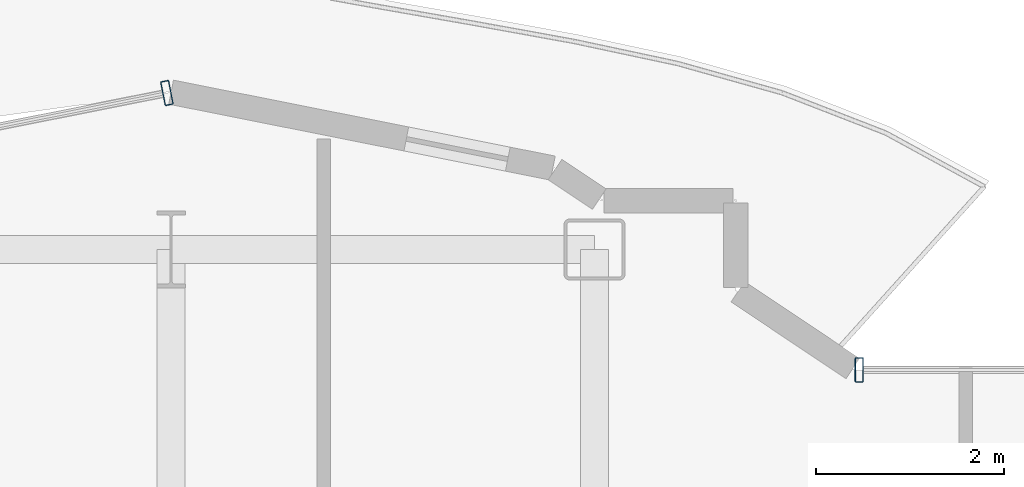
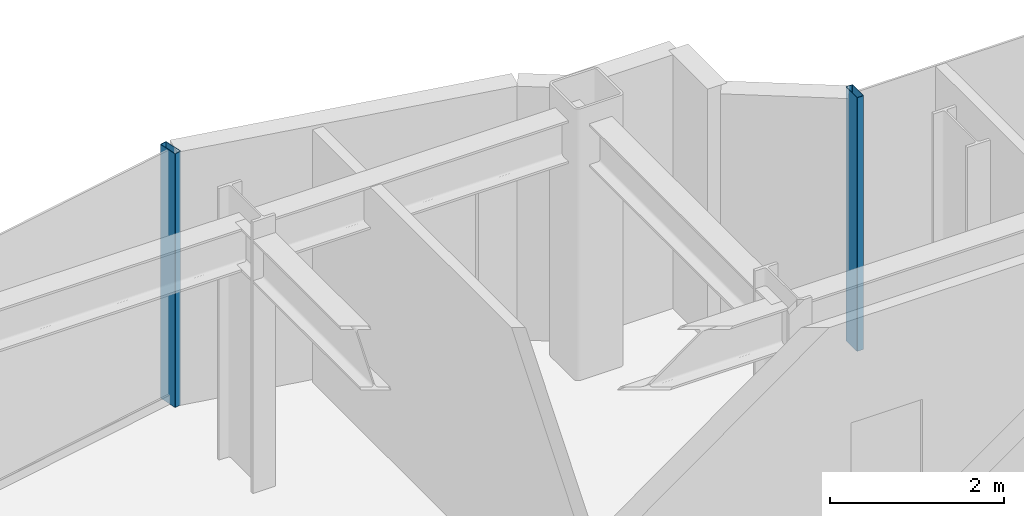
# One storey, part 10 of 21: 2 members, 2 elements without a shape of their own.
"""IFC4 building model written with IfcOpenShell, lengths in metres."""

import ifcopenshell
import ifcopenshell.guid

model = None  # the IFC model being written
_history = None  # IfcOwnerHistory: only IFC2X3 demands one
_inside = {}  # id of a spatial element -> (the spatial element, [elements in it])
_under = {}  # id of a project, library or spatial element -> (it, [spatial elements below it])
_declared = {}  # id of a project -> (the project, [libraries it declares])
_typed = {}  # id of a type object -> (the type object, [elements of that type])
_made_of = {}  # id of a material, layer set ... -> (it, [elements and type objects made of it])


def new_model(schema):
    """Start an empty IFC model of exactly this schema.

    Asked for "IFC4X3", IfcOpenShell would pick the latest addendum, in which some entities
    have other attributes; the version numbers below select the first issue.
    IFC2X3 requires an IfcOwnerHistory on every rooted entity: one is made here for all.
    """
    global model, _history
    if schema == "IFC4X3":
        model = ifcopenshell.file(schema_version=(4, 3, 0, 0))
    else:
        model = ifcopenshell.file(schema=schema)
    _inside.clear()
    _under.clear()
    _declared.clear()
    _typed.clear()
    _made_of.clear()
    _history = None
    if model.schema == "IFC2X3":
        org = make("IfcOrganization", Name="unknown")
        user = make(
            "IfcPersonAndOrganization",
            ThePerson=make("IfcPerson", FamilyName="unknown"),
            TheOrganization=org,
        )
        app = make(
            "IfcApplication",
            ApplicationDeveloper=org,
            Version="unknown",
            ApplicationFullName="unknown",
            ApplicationIdentifier="unknown",
        )
        _history = make(
            "IfcOwnerHistory",
            OwningUser=user,
            OwningApplication=app,
            ChangeAction="ADDED",
            CreationDate=0,
        )
    return model


def make(cls, **values):
    """One entity of the class cls with the attributes given. An attribute that is None is left unset."""
    return model.create_entity(
        cls, **{name: value for name, value in values.items() if value is not None}
    )


def rooted(cls, **values):
    """An entity with a GlobalId (a new one), such as an element, a storey or a relation."""
    return make(cls, GlobalId=ifcopenshell.guid.new(), OwnerHistory=_history, **values)


def si_unit(unit_type, name, prefix=None):
    """IfcSIUnit, for example si_unit("LENGTHUNIT", "METRE", prefix="MILLI")."""
    return make("IfcSIUnit", UnitType=unit_type, Prefix=prefix, Name=name)


def assignment(units):
    """IfcUnitAssignment: the units of a project."""
    return None if units is None else make("IfcUnitAssignment", Units=units)


def point(xyz):
    """IfcCartesianPoint."""
    return None if xyz is None else make("IfcCartesianPoint", Coordinates=xyz)


def direction(xyz):
    """IfcDirection."""
    return None if xyz is None else make("IfcDirection", DirectionRatios=xyz)


def frame(location, z_axis=None, x_axis=None):
    """IfcAxis2Placement3D, a coordinate frame: its origin and axes. An axis left out is left unset."""
    return make(
        "IfcAxis2Placement3D",
        Location=point(location),
        Axis=direction(z_axis),
        RefDirection=direction(x_axis),
    )


def frame_2d(location, x_axis=None):
    """IfcAxis2Placement2D, a coordinate frame in the plane: its origin and x axis."""
    return make(
        "IfcAxis2Placement2D", Location=point(location), RefDirection=direction(x_axis)
    )


def origin():
    """The frame at (0, 0, 0) with its axes left unset."""
    return frame((0.0, 0.0, 0.0))


def origin_2d():
    """The frame at (0, 0) in the plane with its x axis left unset."""
    return frame_2d((0.0, 0.0))


def place(relative_to, where):
    """IfcLocalPlacement: puts the frame where relative to a parent placement (None: the world)."""
    return make(
        "IfcLocalPlacement", PlacementRelTo=relative_to, RelativePlacement=where
    )


def context(
    kind, dimensions, precision=None, world=None, true_north=None, identifier=None
):
    """IfcGeometricRepresentationContext, for example the 3D "Model" context."""
    return make(
        "IfcGeometricRepresentationContext",
        ContextIdentifier=identifier,
        ContextType=kind,
        CoordinateSpaceDimension=dimensions,
        Precision=precision,
        WorldCoordinateSystem=world,
        TrueNorth=true_north,
    )


def subcontext(parent, identifier, kind, view, scale=None):
    """IfcGeometricRepresentationSubContext, for example "Body" below "Model"."""
    return make(
        "IfcGeometricRepresentationSubContext",
        ContextIdentifier=identifier,
        ContextType=kind,
        ParentContext=parent,
        TargetScale=scale,
        TargetView=view,
    )


def project(units=None, contexts=None):
    """IfcProject with its units and contexts."""
    return rooted(
        "IfcProject",
        Name="project",
        RepresentationContexts=contexts,
        UnitsInContext=assignment(units),
    )


def spatial(cls, under=None, at=None, **own):
    """A site, building, storey or space (cls), placed at a placement, below another one or the project."""
    s = rooted(cls, ObjectPlacement=at, **own)
    if under is not None:
        _under.setdefault(under.id(), (under, []))[1].append(s)
    return s


def profile(cls, at=None, kind="AREA", **sizes):
    """A parametric profile (cls). Its sizes go by their IFC names, for example OverallWidth=200.0."""
    return make(cls, ProfileType=kind, Position=at, **sizes)


def hollow_rectangle(**sizes):
    """IfcRectangleHollowProfileDef."""
    return profile("IfcRectangleHollowProfileDef", **sizes)


def extrude(swept, where, along, depth):
    """IfcExtrudedAreaSolid: the profile swept, set in the frame where, extruded along a direction by depth."""
    return make(
        "IfcExtrudedAreaSolid",
        SweptArea=swept,
        Position=where,
        ExtrudedDirection=direction(along),
        Depth=depth,
    )


def shape(context_of_items, identifier, shape_type, items):
    """IfcShapeRepresentation: the items that make up one representation, for example the "Body"."""
    return make(
        "IfcShapeRepresentation",
        ContextOfItems=context_of_items,
        RepresentationIdentifier=identifier,
        RepresentationType=shape_type,
        Items=items,
    )


def source(mapping_origin, context_of_items, identifier, shape_type, items):
    """IfcRepresentationMap: a shape defined once, which mapped items show again and again."""
    return make(
        "IfcRepresentationMap",
        MappingOrigin=mapping_origin,
        MappedRepresentation=shape(context_of_items, identifier, shape_type, items),
    )


def transform(
    local_origin,
    x_axis=None,
    y_axis=None,
    z_axis=None,
    scale=None,
    scale2=None,
    scale3=None,
    uniform=True,
):
    """IfcCartesianTransformationOperator3D, or its non-uniform kind. x_axis, y_axis, z_axis: its Axis1, 2, 3."""
    if uniform:
        return make(
            "IfcCartesianTransformationOperator3D",
            Axis1=direction(x_axis),
            Axis2=direction(y_axis),
            LocalOrigin=point(local_origin),
            Scale=scale,
            Axis3=direction(z_axis),
        )
    return make(
        "IfcCartesianTransformationOperator3DnonUniform",
        Axis1=direction(x_axis),
        Axis2=direction(y_axis),
        LocalOrigin=point(local_origin),
        Scale=scale,
        Axis3=direction(z_axis),
        Scale2=scale2,
        Scale3=scale3,
    )


def mapped(mapping_source, mapping_target):
    """IfcMappedItem: shows the shape of a source again, moved by a transform."""
    return make(
        "IfcMappedItem", MappingSource=mapping_source, MappingTarget=mapping_target
    )


def material(Name=None, Category=None):
    """IfcMaterial."""
    return make("IfcMaterial", Name=Name, Category=Category)


def layer(
    of_material, thickness, ventilated=None, Name=None, Category=None, Priority=None
):
    """IfcMaterialLayer: one layer of a wall or slab, of a material (None: an air gap)."""
    return make(
        "IfcMaterialLayer",
        Material=of_material,
        LayerThickness=thickness,
        IsVentilated=ventilated,
        Name=Name,
        Category=Category,
        Priority=Priority,
    )


def layer_set(layers, Name=None):
    """IfcMaterialLayerSet."""
    return make("IfcMaterialLayerSet", MaterialLayers=layers, LayerSetName=Name)


def material_profile(
    of_material, cross_section, Name=None, Category=None, Priority=None
):
    """IfcMaterialProfile: a cross section and its material."""
    return make(
        "IfcMaterialProfile",
        Name=Name,
        Material=of_material,
        Profile=cross_section,
        Priority=Priority,
        Category=Category,
    )


def profile_set(profiles, Name=None, composite=None):
    """IfcMaterialProfileSet."""
    return make(
        "IfcMaterialProfileSet",
        Name=Name,
        MaterialProfiles=profiles,
        CompositeProfile=composite,
    )


def made_of(thing, what):
    """Note that an element or type object is made of a material, layer set ...; save() writes the relation."""
    if what is not None:
        _made_of.setdefault(what.id(), (what, []))[1].append(thing)
    return thing


def type_object(cls, material=None, **own):
    """A type object (cls), such as IfcWallType, which elements share."""
    return made_of(rooted(cls, **own), material)


def element(
    cls,
    number,
    at=None,
    inside=None,
    cuts=None,
    type_object=None,
    material=None,
    context=None,
    identifier="Body",
    shape_type=None,
    held_by="IfcProductDefinitionShape",
    body=None,
    shapes=None,
    **own,
):
    """One element of the class cls, such as IfcWall. Its Tag is "e" and its number.

    at: its placement. inside: the storey or other place that contains it. cuts: it is an
    opening in that element (IfcRelVoidsElement). A single representation is given by context,
    identifier, shape_type and body (its items); several are given by shapes. held_by: the class
    of the entity that holds the representations. save() writes the other relations.
    """
    e = rooted(cls, Tag="e%d" % number, ObjectPlacement=at, **own)
    if body is not None:
        shapes = [shape(context, identifier, shape_type, body)]
    if shapes is not None:
        e.Representation = make(held_by, Representations=shapes)
    if inside is not None:
        _inside.setdefault(inside.id(), (inside, []))[1].append(e)
    if cuts is not None:
        rooted(
            "IfcRelVoidsElement", RelatingBuildingElement=cuts, RelatedOpeningElement=e
        )
    if type_object is not None:
        _typed.setdefault(type_object.id(), (type_object, []))[1].append(e)
    return made_of(e, material)


def aggregate(whole, parts):
    """IfcRelAggregates: a whole, such as a stair, and the parts it consists of."""
    return rooted("IfcRelAggregates", RelatingObject=whole, RelatedObjects=parts)


def save(model, path):
    """Write the relations noted so far, then the file.

    IfcRelAggregates (storeys below a building ...), IfcRelContainedInSpatialStructure (elements
    in a storey), IfcRelDefinesByType, IfcRelAssociatesMaterial and IfcRelDeclares: one each for
    every whole, place, type object, material and project.
    """
    for whole, parts in _under.values():
        aggregate(whole, parts)
    for where, things in _inside.values():
        rooted(
            "IfcRelContainedInSpatialStructure",
            RelatedElements=things,
            RelatingStructure=where,
        )
    for kind, things in _typed.values():
        rooted("IfcRelDefinesByType", RelatedObjects=things, RelatingType=kind)
    for what, things in _made_of.values():
        rooted("IfcRelAssociatesMaterial", RelatedObjects=things, RelatingMaterial=what)
    for by, libraries in _declared.values():
        rooted("IfcRelDeclares", RelatingContext=by, RelatedDefinitions=libraries)
    model.write(path)


model = new_model("IFC4")

# Units and contexts
model_context = context("Model", 3, precision=1e-05, world=origin(), true_north=direction((0.0, 1.0)))
body_context = subcontext(model_context, "Body", "Model", "MODEL_VIEW")
ifc_project = project(units=[si_unit("LENGTHUNIT", "METRE"), si_unit("AREAUNIT", "SQUARE_METRE"), si_unit("VOLUMEUNIT", "CUBIC_METRE"), si_unit("PLANEANGLEUNIT", "RADIAN"), si_unit("MASSUNIT", "GRAM", prefix="KILO")], contexts=[model_context])

# Site, building, storey
site_placement = place(None, origin())
site = spatial("IfcSite", under=ifc_project, at=site_placement, CompositionType="ELEMENT")
building_placement = place(site_placement, origin())
building = spatial("IfcBuilding", under=site, at=building_placement, Name="Nefas-Gora Pilgrimage Tower", CompositionType="ELEMENT")
storey_placement = place(building_placement, frame((0.0, 0.0, 233.199951171875)))
storey = spatial("IfcBuildingStorey", under=building, at=storey_placement, Name="L58", CompositionType="ELEMENT", Elevation=233.199951171875)

# Curtain wall, member
ifc_material_1 = material(Name="Dark ceramic-fritted solar-control aluminium-glass curtain wall", Category="aluminium")
ifc_layer = layer(ifc_material_1, 0.219970703125)
ifc_layer_set = layer_set([ifc_layer], Name="Dark ceramic-fritted solar-control aluminium-glass curtain wall")
curtain_wall_type = type_object("IfcCurtainWallType", Name="CW-SYS-5", PredefinedType="NOTDEFINED", material=ifc_layer_set)
curtain_wall_1_placement = place(storey_placement, origin())
curtain_wall_1 = element("IfcCurtainWall", 1, at=curtain_wall_1_placement, inside=storey, type_object=curtain_wall_type, Name="L58 Unitised Curtain Wall CW5", PredefinedType="NOTDEFINED")
ifc_material_2 = material(Name="Anodised architectural aluminium", Category="aluminium")
ifc_material_profile = material_profile(ifc_material_2, hollow_rectangle(XDim=0.090087890625, YDim=0.260009765625, WallThickness=0.006103515625, InnerFilletRadius=0.006103515625, OuterFilletRadius=0.011962890625, at=origin_2d()), Name="ALU MULLION 90x260")
ifc_profile_set = profile_set([ifc_material_profile], Name="Anodised architectural aluminium")
member_type = type_object("IfcMemberType", Name="CWM-MUL-5", PredefinedType="MULLION", material=ifc_profile_set)
shared_shape = source(origin(), body_context, "Body", "SweptSolid", [
    extrude(hollow_rectangle(XDim=0.090087890625, YDim=0.260009765625, WallThickness=0.006103515625, InnerFilletRadius=0.006103515625, OuterFilletRadius=0.011962890625, at=origin_2d()), origin(), (0.0, 0.0, 1.0), 3.550048828125),
])
member_1_placement = place(storey_placement, frame((5.06298828125, 21.219970703125, 0.0), z_axis=(0.0, 0.0, 1.0), x_axis=(-1.0, 0.0, 0.0)))
member_1 = element("IfcMember", 2, at=member_1_placement, type_object=member_type, Name="CW5 Mullion 2", PredefinedType="MULLION", context=body_context, shape_type="MappedRepresentation", body=[
    mapped(shared_shape, transform((0.0, 0.0, 0.0), x_axis=(1.0, 0.0, 0.0), y_axis=(0.0, 1.0, 0.0), z_axis=(0.0, 0.0, 1.0), scale=1.0)),
])
aggregate(curtain_wall_1, [member_1])

curtain_wall_2_placement = place(storey_placement, origin())
curtain_wall_2 = element("IfcCurtainWall", 3, at=curtain_wall_2_placement, inside=storey, type_object=curtain_wall_type, Name="L58 Unitised Curtain Wall CW5", PredefinedType="NOTDEFINED")
member_2_placement = place(storey_placement, frame((-2.294189453125, 24.16357421875, 0.0), z_axis=(0.0, 0.0, 1.0), x_axis=(-0.980782896852, -0.195102304554, 0.0)))
member_2 = element("IfcMember", 4, at=member_2_placement, type_object=member_type, Name="CW5 Mullion 1", PredefinedType="MULLION", context=body_context, shape_type="MappedRepresentation", body=[
    mapped(shared_shape, transform((0.0, 0.0, 0.0), x_axis=(1.0, 0.0, 0.0), y_axis=(0.0, 1.0, 0.0), z_axis=(0.0, 0.0, 1.0), scale=1.0)),
])
aggregate(curtain_wall_2, [member_2])

save(model, "model.ifc")
